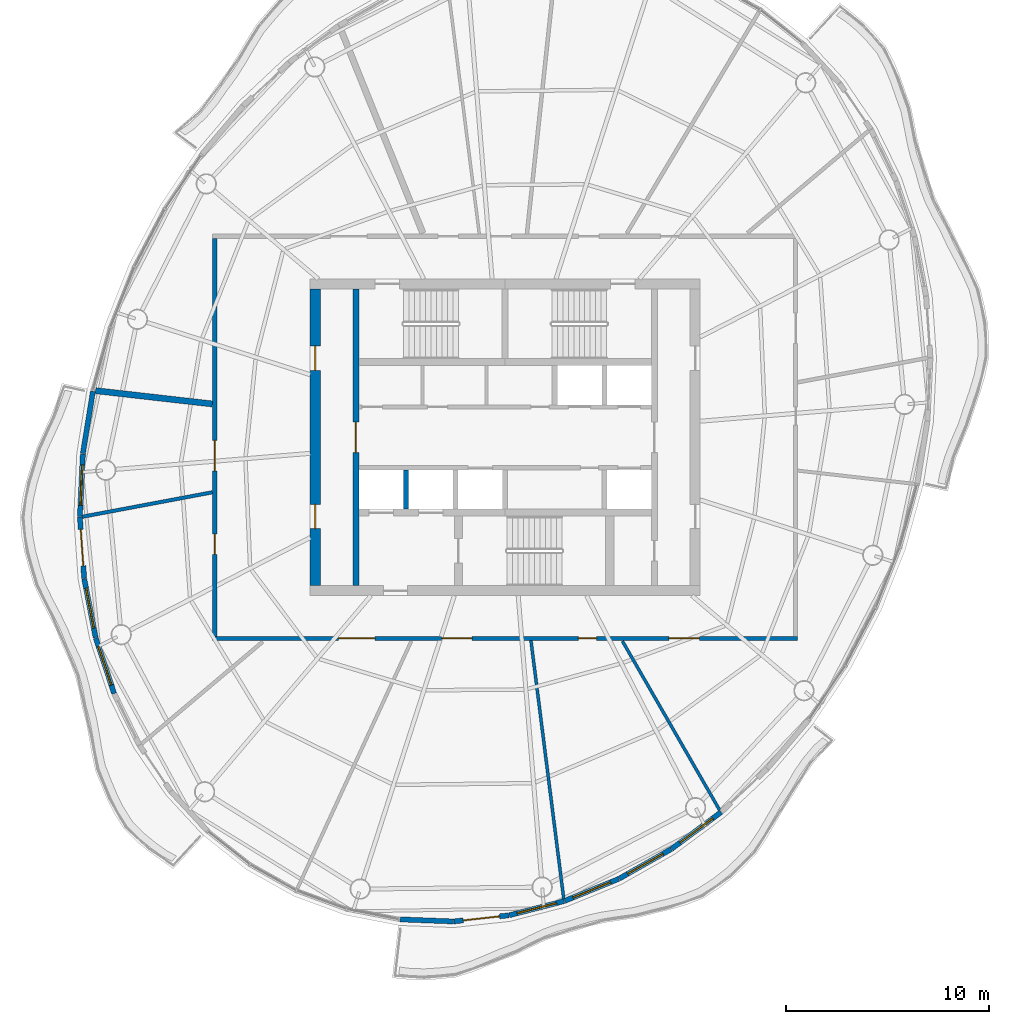
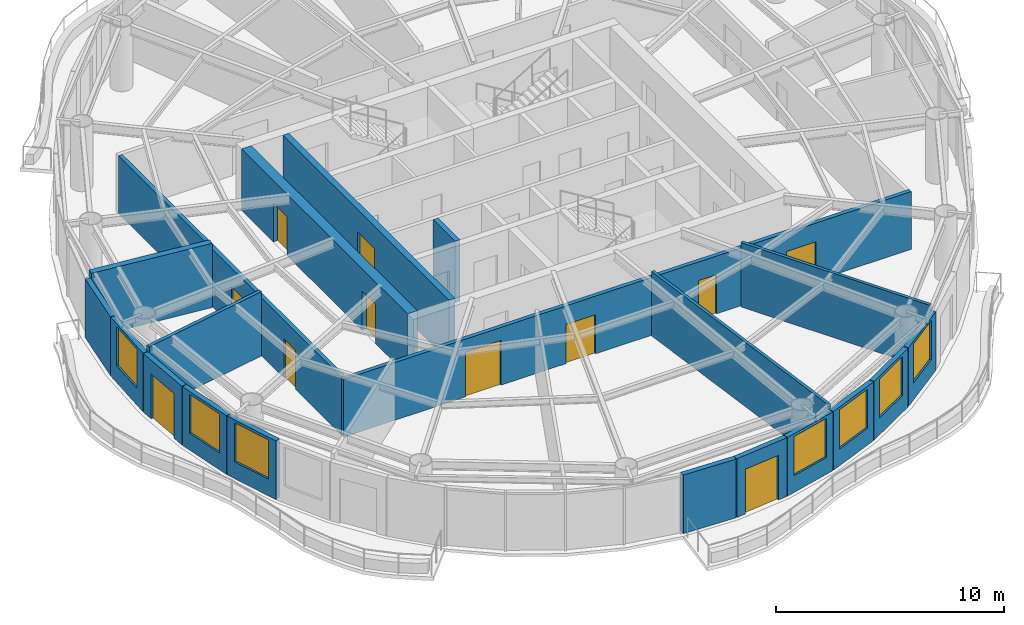
# One storey, part 7 of 13: 20 walls, 11 doors, 7 windows, 18 openings.
"""IFC4 building model written with IfcOpenShell, lengths in metres."""

import ifcopenshell
import ifcopenshell.guid

model = None  # the IFC model being written
_history = None  # IfcOwnerHistory: only IFC2X3 demands one
_inside = {}  # id of a spatial element -> (the spatial element, [elements in it])
_under = {}  # id of a project, library or spatial element -> (it, [spatial elements below it])
_declared = {}  # id of a project -> (the project, [libraries it declares])
_typed = {}  # id of a type object -> (the type object, [elements of that type])
_made_of = {}  # id of a material, layer set ... -> (it, [elements and type objects made of it])


def new_model(schema):
    """Start an empty IFC model of exactly this schema.

    Asked for "IFC4X3", IfcOpenShell would pick the latest addendum, in which some entities
    have other attributes; the version numbers below select the first issue.
    IFC2X3 requires an IfcOwnerHistory on every rooted entity: one is made here for all.
    """
    global model, _history
    if schema == "IFC4X3":
        model = ifcopenshell.file(schema_version=(4, 3, 0, 0))
    else:
        model = ifcopenshell.file(schema=schema)
    _inside.clear()
    _under.clear()
    _declared.clear()
    _typed.clear()
    _made_of.clear()
    _history = None
    if model.schema == "IFC2X3":
        org = make("IfcOrganization", Name="unknown")
        user = make(
            "IfcPersonAndOrganization",
            ThePerson=make("IfcPerson", FamilyName="unknown"),
            TheOrganization=org,
        )
        app = make(
            "IfcApplication",
            ApplicationDeveloper=org,
            Version="unknown",
            ApplicationFullName="unknown",
            ApplicationIdentifier="unknown",
        )
        _history = make(
            "IfcOwnerHistory",
            OwningUser=user,
            OwningApplication=app,
            ChangeAction="ADDED",
            CreationDate=0,
        )
    return model


def make(cls, **values):
    """One entity of the class cls with the attributes given. An attribute that is None is left unset."""
    return model.create_entity(
        cls, **{name: value for name, value in values.items() if value is not None}
    )


def rooted(cls, **values):
    """An entity with a GlobalId (a new one), such as an element, a storey or a relation."""
    return make(cls, GlobalId=ifcopenshell.guid.new(), OwnerHistory=_history, **values)


def si_unit(unit_type, name, prefix=None):
    """IfcSIUnit, for example si_unit("LENGTHUNIT", "METRE", prefix="MILLI")."""
    return make("IfcSIUnit", UnitType=unit_type, Prefix=prefix, Name=name)


def assignment(units):
    """IfcUnitAssignment: the units of a project."""
    return None if units is None else make("IfcUnitAssignment", Units=units)


def point(xyz):
    """IfcCartesianPoint."""
    return None if xyz is None else make("IfcCartesianPoint", Coordinates=xyz)


def direction(xyz):
    """IfcDirection."""
    return None if xyz is None else make("IfcDirection", DirectionRatios=xyz)


def frame(location, z_axis=None, x_axis=None):
    """IfcAxis2Placement3D, a coordinate frame: its origin and axes. An axis left out is left unset."""
    return make(
        "IfcAxis2Placement3D",
        Location=point(location),
        Axis=direction(z_axis),
        RefDirection=direction(x_axis),
    )


def frame_2d(location, x_axis=None):
    """IfcAxis2Placement2D, a coordinate frame in the plane: its origin and x axis."""
    return make(
        "IfcAxis2Placement2D", Location=point(location), RefDirection=direction(x_axis)
    )


def origin():
    """The frame at (0, 0, 0) with its axes left unset."""
    return frame((0.0, 0.0, 0.0))


def place(relative_to, where):
    """IfcLocalPlacement: puts the frame where relative to a parent placement (None: the world)."""
    return make(
        "IfcLocalPlacement", PlacementRelTo=relative_to, RelativePlacement=where
    )


def context(
    kind, dimensions, precision=None, world=None, true_north=None, identifier=None
):
    """IfcGeometricRepresentationContext, for example the 3D "Model" context."""
    return make(
        "IfcGeometricRepresentationContext",
        ContextIdentifier=identifier,
        ContextType=kind,
        CoordinateSpaceDimension=dimensions,
        Precision=precision,
        WorldCoordinateSystem=world,
        TrueNorth=true_north,
    )


def subcontext(parent, identifier, kind, view, scale=None):
    """IfcGeometricRepresentationSubContext, for example "Body" below "Model"."""
    return make(
        "IfcGeometricRepresentationSubContext",
        ContextIdentifier=identifier,
        ContextType=kind,
        ParentContext=parent,
        TargetScale=scale,
        TargetView=view,
    )


def project(units=None, contexts=None):
    """IfcProject with its units and contexts."""
    return rooted(
        "IfcProject",
        Name="project",
        RepresentationContexts=contexts,
        UnitsInContext=assignment(units),
    )


def spatial(cls, under=None, at=None, **own):
    """A site, building, storey or space (cls), placed at a placement, below another one or the project."""
    s = rooted(cls, ObjectPlacement=at, **own)
    if under is not None:
        _under.setdefault(under.id(), (under, []))[1].append(s)
    return s


def profile(cls, at=None, kind="AREA", **sizes):
    """A parametric profile (cls). Its sizes go by their IFC names, for example OverallWidth=200.0."""
    return make(cls, ProfileType=kind, Position=at, **sizes)


def rectangle(**sizes):
    """IfcRectangleProfileDef."""
    return profile("IfcRectangleProfileDef", **sizes)


def extrude(swept, where, along, depth):
    """IfcExtrudedAreaSolid: the profile swept, set in the frame where, extruded along a direction by depth."""
    return make(
        "IfcExtrudedAreaSolid",
        SweptArea=swept,
        Position=where,
        ExtrudedDirection=direction(along),
        Depth=depth,
    )


def shape(context_of_items, identifier, shape_type, items):
    """IfcShapeRepresentation: the items that make up one representation, for example the "Body"."""
    return make(
        "IfcShapeRepresentation",
        ContextOfItems=context_of_items,
        RepresentationIdentifier=identifier,
        RepresentationType=shape_type,
        Items=items,
    )


def material(Name=None, Category=None):
    """IfcMaterial."""
    return make("IfcMaterial", Name=Name, Category=Category)


def layer(
    of_material, thickness, ventilated=None, Name=None, Category=None, Priority=None
):
    """IfcMaterialLayer: one layer of a wall or slab, of a material (None: an air gap)."""
    return make(
        "IfcMaterialLayer",
        Material=of_material,
        LayerThickness=thickness,
        IsVentilated=ventilated,
        Name=Name,
        Category=Category,
        Priority=Priority,
    )


def layer_set(layers, Name=None):
    """IfcMaterialLayerSet."""
    return make("IfcMaterialLayerSet", MaterialLayers=layers, LayerSetName=Name)


def made_of(thing, what):
    """Note that an element or type object is made of a material, layer set ...; save() writes the relation."""
    if what is not None:
        _made_of.setdefault(what.id(), (what, []))[1].append(thing)
    return thing


def type_object(cls, material=None, **own):
    """A type object (cls), such as IfcWallType, which elements share."""
    return made_of(rooted(cls, **own), material)


def element(
    cls,
    number,
    at=None,
    inside=None,
    cuts=None,
    type_object=None,
    material=None,
    context=None,
    identifier="Body",
    shape_type=None,
    held_by="IfcProductDefinitionShape",
    body=None,
    shapes=None,
    **own,
):
    """One element of the class cls, such as IfcWall. Its Tag is "e" and its number.

    at: its placement. inside: the storey or other place that contains it. cuts: it is an
    opening in that element (IfcRelVoidsElement). A single representation is given by context,
    identifier, shape_type and body (its items); several are given by shapes. held_by: the class
    of the entity that holds the representations. save() writes the other relations.
    """
    e = rooted(cls, Tag="e%d" % number, ObjectPlacement=at, **own)
    if body is not None:
        shapes = [shape(context, identifier, shape_type, body)]
    if shapes is not None:
        e.Representation = make(held_by, Representations=shapes)
    if inside is not None:
        _inside.setdefault(inside.id(), (inside, []))[1].append(e)
    if cuts is not None:
        rooted(
            "IfcRelVoidsElement", RelatingBuildingElement=cuts, RelatedOpeningElement=e
        )
    if type_object is not None:
        _typed.setdefault(type_object.id(), (type_object, []))[1].append(e)
    return made_of(e, material)


def fill(opening, filler):
    """IfcRelFillsElement: the door or window that sits in an opening."""
    return rooted(
        "IfcRelFillsElement",
        RelatingOpeningElement=opening,
        RelatedBuildingElement=filler,
    )


def aggregate(whole, parts):
    """IfcRelAggregates: a whole, such as a stair, and the parts it consists of."""
    return rooted("IfcRelAggregates", RelatingObject=whole, RelatedObjects=parts)


def save(model, path):
    """Write the relations noted so far, then the file.

    IfcRelAggregates (storeys below a building ...), IfcRelContainedInSpatialStructure (elements
    in a storey), IfcRelDefinesByType, IfcRelAssociatesMaterial and IfcRelDeclares: one each for
    every whole, place, type object, material and project.
    """
    for whole, parts in _under.values():
        aggregate(whole, parts)
    for where, things in _inside.values():
        rooted(
            "IfcRelContainedInSpatialStructure",
            RelatedElements=things,
            RelatingStructure=where,
        )
    for kind, things in _typed.values():
        rooted("IfcRelDefinesByType", RelatedObjects=things, RelatingType=kind)
    for what, things in _made_of.values():
        rooted("IfcRelAssociatesMaterial", RelatedObjects=things, RelatingMaterial=what)
    for by, libraries in _declared.values():
        rooted("IfcRelDeclares", RelatingContext=by, RelatedDefinitions=libraries)
    model.write(path)


model = new_model("IFC4")

# Units and contexts
model_context = context("Model", 3, precision=1e-05, world=origin(), true_north=direction((0.0, 1.0)))
body_context = subcontext(model_context, "Body", "Model", "MODEL_VIEW")
ifc_project = project(units=[si_unit("LENGTHUNIT", "METRE"), si_unit("AREAUNIT", "SQUARE_METRE"), si_unit("VOLUMEUNIT", "CUBIC_METRE"), si_unit("PLANEANGLEUNIT", "RADIAN"), si_unit("MASSUNIT", "GRAM", prefix="KILO")], contexts=[model_context])

# Site, building, storey
site_placement = place(None, origin())
site = spatial("IfcSite", under=ifc_project, at=site_placement, CompositionType="ELEMENT")
building_placement = place(site_placement, origin())
building = spatial("IfcBuilding", under=site, at=building_placement, Name="Vermilion Reach Broadcast Tower", CompositionType="ELEMENT")
storey_placement = place(building_placement, frame((0.0, 0.0, 293.699951171875)))
storey = spatial("IfcBuildingStorey", under=building, at=storey_placement, Name="L73", CompositionType="ELEMENT", Elevation=293.699951171875)

# Wall, opening, door
ifc_material_1 = material(Name="Concrete C50", Category="concrete")
ifc_layer_1 = layer(ifc_material_1, 0.300048828125)
ifc_layer_set_1 = layer_set([ifc_layer_1], Name="Core inner wall 300 mm Concrete C50")
wall_type_1 = type_object("IfcWallType", Name="Core inner wall 300 mm Concrete C50", PredefinedType="SHEAR", material=ifc_layer_set_1)
wall_1_placement = place(storey_placement, frame((-13.35009765625, 7.300048828125, 0.0), z_axis=(0.0, 0.0, 1.0), x_axis=(0.0, -1.0, 0.0)))
wall_1 = element("IfcWall", 1, at=wall_1_placement, inside=storey, type_object=wall_type_1, Name="L73 core wall ewW", PredefinedType="SHEAR", context=body_context, shape_type="SweptSolid", body=[
    extrude(rectangle(XDim=14.60009765625, YDim=0.300048828125, at=frame_2d((7.300048828125, 0.0))), origin(), (0.0, 0.0, 1.0), 3.300048828125),
])
opening_1_placement = place(wall_1_placement, frame((6.550048828125, 0.0, 0.0)))
opening_1 = element("IfcOpeningElement", 2, at=opening_1_placement, cuts=wall_1, Name="Opening D04", PredefinedType="OPENING", context=body_context, shape_type="SweptSolid", body=[
    extrude(rectangle(XDim=1.5, YDim=2.10009765625, at=frame_2d((0.75, 1.050048828125))), frame((0.0, 0.159912109375, 0.0), z_axis=(0.0, -1.0, 0.0), x_axis=(1.0, 0.0, 0.0)), (0.0, 0.0, 1.0), 0.320068359375),
])
ifc_material_2 = material(Name="Painted steel fire door", Category="steel")
door_type_1 = type_object("IfcDoorType", Name="Lift lobby door 1500 x 2100", OperationType="DOUBLE_DOOR_SINGLE_SWING", PredefinedType="NOTDEFINED", material=ifc_material_2)
door_1_placement = place(opening_1_placement, origin())
door_1 = element("IfcDoor", 3, at=door_1_placement, inside=storey, type_object=door_type_1, Name="L73 band door BW", OperationType="DOUBLE_DOOR_SINGLE_SWING", OverallHeight=2.10009765625, OverallWidth=1.5, PredefinedType="NOTDEFINED", context=body_context, shape_type="SweptSolid", body=[
    extrude(rectangle(XDim=1.5, YDim=2.10009765625, at=frame_2d((0.75, 1.050048828125))), frame((0.0, 0.02490234375, 0.0), z_axis=(0.0, -1.0, 0.0), x_axis=(1.0, 0.0, 0.0)), (0.0, 0.0, 1.0), 0.050048828125),
])
fill(opening_1, door_1)

# Wall, openings, doors
ifc_material_3 = material(Name="Concrete C50", Category="concrete")
ifc_layer_2 = layer(ifc_material_3, 0.5)
ifc_layer_set_2 = layer_set([ifc_layer_2], Name="Core outer wall 500 mm Concrete C50")
wall_type_2 = type_object("IfcWallType", Name="Core outer wall 500 mm Concrete C50", PredefinedType="SHEAR", material=ifc_layer_set_2)
wall_2_placement = place(storey_placement, frame((-15.35009765625, 7.300048828125, 0.0), z_axis=(0.0, 0.0, 1.0), x_axis=(0.0, -1.0, 0.0)))
wall_2 = element("IfcWall", 4, at=wall_2_placement, inside=storey, type_object=wall_type_2, Name="L73 core wall ow", PredefinedType="SHEAR", context=body_context, shape_type="SweptSolid", body=[
    extrude(rectangle(XDim=14.60009765625, YDim=0.5, at=frame_2d((7.300048828125, 0.0))), origin(), (0.0, 0.0, 1.0), 3.300048828125),
])
opening_2_placement = place(wall_2_placement, frame((10.60009765625, 0.0, 0.0)))
opening_2 = element("IfcOpeningElement", 5, at=opening_2_placement, cuts=wall_2, Name="Opening D03", PredefinedType="OPENING", context=body_context, shape_type="SweptSolid", body=[
    extrude(rectangle(XDim=1.199951171875, YDim=2.10009765625, at=frame_2d((0.60009765625, 1.050048828125))), frame((0.0, 0.260009765625, 0.0), z_axis=(0.0, -1.0, 0.0), x_axis=(1.0, 0.0, 0.0)), (0.0, 0.0, 1.0), 0.52001953125),
])
opening_3_placement = place(wall_2_placement, frame((2.800048828125, 0.0, 0.0)))
opening_3 = element("IfcOpeningElement", 6, at=opening_3_placement, cuts=wall_2, Name="Opening D03", PredefinedType="OPENING", context=body_context, shape_type="SweptSolid", body=[
    extrude(rectangle(XDim=1.199951171875, YDim=2.10009765625, at=frame_2d((0.60009765625, 1.050048828125))), frame((0.0, 0.260009765625, 0.0), z_axis=(0.0, -1.0, 0.0), x_axis=(1.0, 0.0, 0.0)), (0.0, 0.0, 1.0), 0.52001953125),
])
ifc_material_4 = material(Name="Painted steel fire door", Category="steel")
door_type_2 = type_object("IfcDoorType", Name="Core lobby door 1200 x 2100", OperationType="DOUBLE_DOOR_SINGLE_SWING", PredefinedType="NOTDEFINED", material=ifc_material_4)
door_2_placement = place(opening_2_placement, origin())
door_2 = element("IfcDoor", 7, at=door_2_placement, inside=storey, type_object=door_type_2, Name="L73 slot door W0", OperationType="DOUBLE_DOOR_SINGLE_SWING", OverallHeight=2.10009765625, OverallWidth=1.199951171875, PredefinedType="NOTDEFINED", context=body_context, shape_type="SweptSolid", body=[
    extrude(rectangle(XDim=1.199951171875, YDim=2.10009765625, at=frame_2d((0.60009765625, 1.050048828125))), frame((0.0, 0.02490234375, 0.0), z_axis=(0.0, -1.0, 0.0), x_axis=(1.0, 0.0, 0.0)), (0.0, 0.0, 1.0), 0.050048828125),
])
fill(opening_2, door_2)
door_3_placement = place(opening_3_placement, origin())
door_3 = element("IfcDoor", 8, at=door_3_placement, inside=storey, type_object=door_type_2, Name="L73 slot door W1", OperationType="DOUBLE_DOOR_SINGLE_SWING", OverallHeight=2.10009765625, OverallWidth=1.199951171875, PredefinedType="NOTDEFINED", context=body_context, shape_type="SweptSolid", body=[
    extrude(rectangle(XDim=1.199951171875, YDim=2.10009765625, at=frame_2d((0.60009765625, 1.050048828125))), frame((0.0, 0.02490234375, 0.0), z_axis=(0.0, -1.0, 0.0), x_axis=(1.0, 0.0, 0.0)), (0.0, 0.0, 1.0), 0.050048828125),
])
fill(opening_3, door_3)

# Walls
ifc_material_5 = material(Name="Concrete C50", Category="concrete")
ifc_layer_3 = layer(ifc_material_5, 0.25)
ifc_layer_set_3 = layer_set([ifc_layer_3], Name="Core shaft wall 250 mm Concrete C50")
wall_type_3 = type_object("IfcWallType", Name="Core shaft wall 250 mm Concrete C50", PredefinedType="SHEAR", material=ifc_layer_set_3)
wall_3_placement = place(storey_placement, frame((-10.88330078125, -1.60009765625, 0.0), z_axis=(0.0, 0.0, 1.0), x_axis=(0.0, -1.0, 0.0)))
element("IfcWall", 9, at=wall_3_placement, inside=storey, type_object=wall_type_3, Name="L73 core wall psS0", PredefinedType="SHEAR", context=body_context, shape_type="SweptSolid", body=[
    extrude(rectangle(XDim=1.929931640625, YDim=0.25, at=frame_2d((0.96484375, 0.0))), origin(), (0.0, 0.0, 1.0), 3.300048828125),
])
ifc_material_6 = material(Name="Lightweight concrete block, plastered", Category="concrete")
ifc_layer_4 = layer(ifc_material_6, 0.14990234375)
ifc_layer_set_4 = layer_set([ifc_layer_4], Name="Partition 150 lightweight block")
wall_type_4 = type_object("IfcWallType", Name="Partition 150 lightweight block", PredefinedType="PARTITIONING", material=ifc_layer_set_4)
wall_4_placement = place(storey_placement, frame((-3.11474609375, -22.716064453125, 0.0), z_axis=(0.0, 0.0, 1.0), x_axis=(-0.125990997463, 0.992031384866, 0.0)))
element("IfcWall", 10, at=wall_4_placement, inside=storey, type_object=wall_type_4, Name="Partition 73.08", PredefinedType="PARTITIONING", context=body_context, shape_type="SweptSolid", body=[
    extrude(rectangle(XDim=12.80859375, YDim=0.14990234375, at=frame_2d((6.404296875, 0.0))), origin(), (0.0, 0.0, 1.0), 3.449951171875),
])
wall_5_placement = place(storey_placement, frame((4.562744140625, -18.357177734375, 0.0), z_axis=(0.0, 0.0, 1.0), x_axis=(-0.498722463037, 0.86676173477, 0.0)))
element("IfcWall", 11, at=wall_5_placement, inside=storey, type_object=wall_type_4, Name="Partition 73.09", PredefinedType="PARTITIONING", context=body_context, shape_type="SweptSolid", body=[
    extrude(rectangle(XDim=9.5986328125, YDim=0.14990234375, at=frame_2d((4.79931640625, 0.0))), origin(), (0.0, 0.0, 1.0), 3.449951171875),
])
ifc_material_7 = material(Name="Fire-rated block, plastered")
ifc_layer_5 = layer(ifc_material_7, 0.175048828125)
ifc_layer_set_5 = layer_set([ifc_layer_5], Name="Partition 175 fire-rated block")
wall_type_5 = type_object("IfcWallType", Name="Partition 175 fire-rated block", PredefinedType="PARTITIONING", material=ifc_layer_set_5)
wall_6_placement = place(storey_placement, frame((-26.81494140625, -3.911865234375, 0.0), z_axis=(0.0, 0.0, 1.0), x_axis=(0.982791861664, 0.184716422243, 0.0)))
element("IfcWall", 12, at=wall_6_placement, inside=storey, type_object=wall_type_5, Name="Partition 73.05", PredefinedType="PARTITIONING", context=body_context, shape_type="SweptSolid", body=[
    extrude(rectangle(XDim=6.5107421875, YDim=0.175048828125, at=frame_2d((3.25537109375, 0.0))), origin(), (0.0, 0.0, 1.0), 3.449951171875),
])
ifc_material_8 = material(Name="Double-leaf plasterboard on isolated steel stud", Category="steel")
ifc_layer_6 = layer(ifc_material_8, 0.300048828125)
ifc_layer_set_6 = layer_set([ifc_layer_6], Name="Partition 300 acoustic double leaf")
wall_type_6 = type_object("IfcWallType", Name="Partition 300 acoustic double leaf", PredefinedType="PARTITIONING", material=ifc_layer_set_6)
wall_7_placement = place(storey_placement, frame((-26.16552734375, 2.295166015625, 0.0), z_axis=(0.0, 0.0, 1.0), x_axis=(0.993584796014, -0.113089580112, 0.0)))
element("IfcWall", 13, at=wall_7_placement, inside=storey, type_object=wall_type_6, Name="Partition 73.04", PredefinedType="PARTITIONING", context=body_context, shape_type="SweptSolid", body=[
    extrude(rectangle(XDim=5.78564453125, YDim=0.300048828125, at=frame_2d((2.892822265625, 0.0))), origin(), (0.0, 0.0, 1.0), 3.449951171875),
])
ifc_material_9 = material(Name="Terracotta rainscreen cladding", Category="masonry")
ifc_layer_7 = layer(ifc_material_9, 0.25)
ifc_layer_set_7 = layer_set([ifc_layer_7], Name="Terracotta rainscreen wall 250")
wall_type_7 = type_object("IfcWallType", Name="Terracotta rainscreen wall 250", PredefinedType="SOLIDWALL", material=ifc_layer_set_7)
wall_8_placement = place(storey_placement, frame((-26.29638671875, 2.267578125, 0.0), z_axis=(0.0, 0.0, 1.0), x_axis=(-0.159440477827, -0.987207543544, 0.0)))
element("IfcWall", 14, at=wall_8_placement, inside=storey, type_object=wall_type_7, Name="External wall L73 14", PredefinedType="SOLIDWALL", context=body_context, shape_type="SweptSolid", body=[
    extrude(rectangle(XDim=3.09912109375, YDim=0.25, at=frame_2d((1.549560546875, 0.0))), origin(), (0.0, 0.0, 1.0), 3.150146484375),
])

# Wall, opening, window
wall_9_placement = place(storey_placement, frame((-26.79296875, -0.81396484375, 0.0), z_axis=(0.0, 0.0, 1.0), x_axis=(-0.047385042598, -0.998876697965, 0.0)))
wall_9 = element("IfcWall", 15, at=wall_9_placement, inside=storey, type_object=wall_type_7, Name="External wall L73 15", PredefinedType="SOLIDWALL", context=body_context, shape_type="SweptSolid", body=[
    extrude(rectangle(XDim=3.09130859375, YDim=0.25, at=frame_2d((1.545654296875, 0.0))), origin(), (0.0, 0.0, 1.0), 3.150146484375),
])
opening_4_placement = place(wall_9_placement, frame((0.545654296875, 0.0, 0.89990234375)))
opening_4 = element("IfcOpeningElement", 16, at=opening_4_placement, cuts=wall_9, Name="Opening W03", PredefinedType="OPENING", context=body_context, shape_type="SweptSolid", body=[
    extrude(rectangle(XDim=2.0, YDim=2.10009765625, at=frame_2d((1.0, 1.050048828125))), frame((0.0, 0.135009765625, 0.0), z_axis=(0.0, -1.0, 0.0), x_axis=(1.0, 0.0, 0.0)), (0.0, 0.0, 1.0), 0.27001953125),
])
ifc_material_10 = material(Name="Low-e laminated clear glass in aluminium frame", Category="aluminium")
window_type = type_object("IfcWindowType", Name="Punched window 2000 x 2100 sill 900", PartitioningType="SINGLE_PANEL", PredefinedType="WINDOW", material=ifc_material_10)
window_1_placement = place(opening_4_placement, origin())
window_1 = element("IfcWindow", 17, at=window_1_placement, inside=storey, type_object=window_type, Name="Window L73 15", OverallHeight=2.10009765625, OverallWidth=2.0, PartitioningType="SINGLE_PANEL", PredefinedType="WINDOW", context=body_context, shape_type="SweptSolid", body=[
    extrude(rectangle(XDim=2.0, YDim=2.10009765625, at=frame_2d((1.0, 1.050048828125))), frame((0.0, 0.030029296875, 0.0), z_axis=(0.0, -1.0, 0.0), x_axis=(1.0, 0.0, 0.0)), (0.0, 0.0, 1.0), 0.06005859375),
])
fill(opening_4, window_1)

# Wall, opening, door
wall_10_placement = place(storey_placement, frame((-26.939208984375, -3.924560546875, 0.0), z_axis=(0.0, 0.0, 1.0), x_axis=(0.069463827697, -0.997584470931, 0.0)))
wall_10 = element("IfcWall", 18, at=wall_10_placement, inside=storey, type_object=wall_type_7, Name="External wall L73 16", PredefinedType="SOLIDWALL", context=body_context, shape_type="SweptSolid", body=[
    extrude(rectangle(XDim=3.026123046875, YDim=0.25, at=frame_2d((1.51318359375, 0.0))), origin(), (0.0, 0.0, 1.0), 3.150146484375),
])
opening_5_placement = place(wall_10_placement, frame((0.613037109375, 0.0, 0.0)))
opening_5 = element("IfcOpeningElement", 19, at=opening_5_placement, cuts=wall_10, Name="Opening D70", PredefinedType="OPENING", context=body_context, shape_type="SweptSolid", body=[
    extrude(rectangle(XDim=1.800048828125, YDim=2.39990234375, at=frame_2d((0.89990234375, 1.199951171875))), frame((0.0, 0.135009765625, 0.0), z_axis=(0.0, -1.0, 0.0), x_axis=(1.0, 0.0, 0.0)), (0.0, 0.0, 1.0), 0.27001953125),
])
ifc_material_11 = material(Name="Low-e laminated clear glass in aluminium frame", Category="aluminium")
door_type_3 = type_object("IfcDoorType", Name="Balcony sliding door 1800 x 2400", OperationType="DOUBLE_DOOR_SLIDING", PredefinedType="DOOR", material=ifc_material_11)
door_4_placement = place(opening_5_placement, origin())
door_4 = element("IfcDoor", 20, at=door_4_placement, inside=storey, type_object=door_type_3, Name="Balcony door L73 run 04", OperationType="DOUBLE_DOOR_SLIDING", OverallHeight=2.39990234375, OverallWidth=1.800048828125, PredefinedType="DOOR", context=body_context, shape_type="SweptSolid", body=[
    extrude(rectangle(XDim=1.800048828125, YDim=2.39990234375, at=frame_2d((0.89990234375, 1.199951171875))), frame((0.0, 0.02490234375, 0.0), z_axis=(0.0, -1.0, 0.0), x_axis=(1.0, 0.0, 0.0)), (0.0, 0.0, 1.0), 0.050048828125),
])
fill(opening_5, door_4)

# Wall, opening, window
wall_11_placement = place(storey_placement, frame((-26.725830078125, -6.96630859375, 0.0), z_axis=(0.0, 0.0, 1.0), x_axis=(0.190466761953, -0.981693644978, 0.0)))
wall_11 = element("IfcWall", 21, at=wall_11_placement, inside=storey, type_object=wall_type_7, Name="External wall L73 17", PredefinedType="SOLIDWALL", context=body_context, shape_type="SweptSolid", body=[
    extrude(rectangle(XDim=2.951904296875, YDim=0.25, at=frame_2d((1.47607421875, 0.0))), origin(), (0.0, 0.0, 1.0), 3.150146484375),
])
opening_6_placement = place(wall_11_placement, frame((0.475830078125, 0.0, 0.89990234375)))
opening_6 = element("IfcOpeningElement", 22, at=opening_6_placement, cuts=wall_11, Name="Opening W03", PredefinedType="OPENING", context=body_context, shape_type="SweptSolid", body=[
    extrude(rectangle(XDim=2.0, YDim=2.10009765625, at=frame_2d((1.0, 1.050048828125))), frame((0.0, 0.135009765625, 0.0), z_axis=(0.0, -1.0, 0.0), x_axis=(1.0, 0.0, 0.0)), (0.0, 0.0, 1.0), 0.27001953125),
])
window_2_placement = place(opening_6_placement, origin())
window_2 = element("IfcWindow", 23, at=window_2_placement, inside=storey, type_object=window_type, Name="Window L73 17", OverallHeight=2.10009765625, OverallWidth=2.0, PartitioningType="SINGLE_PANEL", PredefinedType="WINDOW", context=body_context, shape_type="SweptSolid", body=[
    extrude(rectangle(XDim=2.0, YDim=2.10009765625, at=frame_2d((1.0, 1.050048828125))), frame((0.0, 0.030029296875, 0.0), z_axis=(0.0, -1.0, 0.0), x_axis=(1.0, 0.0, 0.0)), (0.0, 0.0, 1.0), 0.06005859375),
])
fill(opening_6, window_2)

wall_12_placement = place(storey_placement, frame((-26.157470703125, -9.887451171875, 0.0), z_axis=(0.0, 0.0, 1.0), x_axis=(0.314544485277, -0.949242733331, 0.0)))
wall_12 = element("IfcWall", 24, at=wall_12_placement, inside=storey, type_object=wall_type_7, Name="External wall L73 18", PredefinedType="SOLIDWALL", context=body_context, shape_type="SweptSolid", body=[
    extrude(rectangle(XDim=2.87255859375, YDim=0.25, at=frame_2d((1.436279296875, 0.0))), origin(), (0.0, 0.0, 1.0), 3.150146484375),
])
opening_7_placement = place(wall_12_placement, frame((0.436279296875, 0.0, 0.89990234375)))
opening_7 = element("IfcOpeningElement", 25, at=opening_7_placement, cuts=wall_12, Name="Opening W03", PredefinedType="OPENING", context=body_context, shape_type="SweptSolid", body=[
    extrude(rectangle(XDim=2.0, YDim=2.10009765625, at=frame_2d((1.0, 1.050048828125))), frame((0.0, 0.135009765625, 0.0), z_axis=(0.0, -1.0, 0.0), x_axis=(1.0, 0.0, 0.0)), (0.0, 0.0, 1.0), 0.27001953125),
])
window_3_placement = place(opening_7_placement, origin())
window_3 = element("IfcWindow", 26, at=window_3_placement, inside=storey, type_object=window_type, Name="Window L73 18", OverallHeight=2.10009765625, OverallWidth=2.0, PartitioningType="SINGLE_PANEL", PredefinedType="WINDOW", context=body_context, shape_type="SweptSolid", body=[
    extrude(rectangle(XDim=2.0, YDim=2.10009765625, at=frame_2d((1.0, 1.050048828125))), frame((0.0, 0.030029296875, 0.0), z_axis=(0.0, -1.0, 0.0), x_axis=(1.0, 0.0, 0.0)), (0.0, 0.0, 1.0), 0.06005859375),
])
fill(opening_7, window_3)

# Wall
wall_13_placement = place(storey_placement, frame((-11.1669921875, -23.739990234375, 0.0), z_axis=(0.0, 0.0, 1.0), x_axis=(0.999251644624, -0.038680107501, 0.0)))
element("IfcWall", 27, at=wall_13_placement, inside=storey, type_object=wall_type_7, Name="External wall L73 26", PredefinedType="SOLIDWALL", context=body_context, shape_type="SweptSolid", body=[
    extrude(rectangle(XDim=2.619384765625, YDim=0.25, at=frame_2d((1.3095703125, 0.0))), origin(), (0.0, 0.0, 1.0), 3.150146484375),
])

# Wall, opening, door
wall_14_placement = place(storey_placement, frame((-8.52294921875, -23.84033203125, 0.0), z_axis=(0.0, 0.0, 1.0), x_axis=(0.993924144264, 0.110067231499, 0.0)))
wall_14 = element("IfcWall", 28, at=wall_14_placement, inside=storey, type_object=wall_type_7, Name="External wall L73 27", PredefinedType="SOLIDWALL", context=body_context, shape_type="SweptSolid", body=[
    extrude(rectangle(XDim=2.7216796875, YDim=0.25, at=frame_2d((1.36083984375, 0.0))), origin(), (0.0, 0.0, 1.0), 3.150146484375),
])
opening_8_placement = place(wall_14_placement, frame((0.4609375, 0.0, 0.0)))
opening_8 = element("IfcOpeningElement", 29, at=opening_8_placement, cuts=wall_14, Name="Opening D70", PredefinedType="OPENING", context=body_context, shape_type="SweptSolid", body=[
    extrude(rectangle(XDim=1.800048828125, YDim=2.39990234375, at=frame_2d((0.89990234375, 1.199951171875))), frame((0.0, 0.135009765625, 0.0), z_axis=(0.0, -1.0, 0.0), x_axis=(1.0, 0.0, 0.0)), (0.0, 0.0, 1.0), 0.27001953125),
])
door_5_placement = place(opening_8_placement, origin())
door_5 = element("IfcDoor", 30, at=door_5_placement, inside=storey, type_object=door_type_3, Name="Balcony door L73 run 07", OperationType="DOUBLE_DOOR_SLIDING", OverallHeight=2.39990234375, OverallWidth=1.800048828125, PredefinedType="DOOR", context=body_context, shape_type="SweptSolid", body=[
    extrude(rectangle(XDim=1.800048828125, YDim=2.39990234375, at=frame_2d((0.89990234375, 1.199951171875))), frame((0.0, 0.02490234375, 0.0), z_axis=(0.0, -1.0, 0.0), x_axis=(1.0, 0.0, 0.0)), (0.0, 0.0, 1.0), 0.050048828125),
])
fill(opening_8, door_5)

# Wall, opening, window
wall_15_placement = place(storey_placement, frame((-5.792724609375, -23.5361328125, 0.0), z_axis=(0.0, 0.0, 1.0), x_axis=(0.968247991757, 0.249991652777, 0.0)))
wall_15 = element("IfcWall", 31, at=wall_15_placement, inside=storey, type_object=wall_type_7, Name="External wall L73 28", PredefinedType="SOLIDWALL", context=body_context, shape_type="SweptSolid", body=[
    extrude(rectangle(XDim=2.7939453125, YDim=0.25, at=frame_2d((1.39697265625, 0.0))), origin(), (0.0, 0.0, 1.0), 3.150146484375),
])
opening_9_placement = place(wall_15_placement, frame((0.39697265625, 0.0, 0.89990234375)))
opening_9 = element("IfcOpeningElement", 32, at=opening_9_placement, cuts=wall_15, Name="Opening W03", PredefinedType="OPENING", context=body_context, shape_type="SweptSolid", body=[
    extrude(rectangle(XDim=2.0, YDim=2.10009765625, at=frame_2d((1.0, 1.050048828125))), frame((0.0, 0.135009765625, 0.0), z_axis=(0.0, -1.0, 0.0), x_axis=(1.0, 0.0, 0.0)), (0.0, 0.0, 1.0), 0.27001953125),
])
window_4_placement = place(opening_9_placement, origin())
window_4 = element("IfcWindow", 33, at=window_4_placement, inside=storey, type_object=window_type, Name="Window L73 28", OverallHeight=2.10009765625, OverallWidth=2.0, PartitioningType="SINGLE_PANEL", PredefinedType="WINDOW", context=body_context, shape_type="SweptSolid", body=[
    extrude(rectangle(XDim=2.0, YDim=2.10009765625, at=frame_2d((1.0, 1.050048828125))), frame((0.0, 0.030029296875, 0.0), z_axis=(0.0, -1.0, 0.0), x_axis=(1.0, 0.0, 0.0)), (0.0, 0.0, 1.0), 0.06005859375),
])
fill(opening_9, window_4)

wall_16_placement = place(storey_placement, frame((-3.063720703125, -22.829833984375, 0.0), z_axis=(0.0, 0.0, 1.0), x_axis=(0.925732306154, 0.378179451243, 0.0)))
wall_16 = element("IfcWall", 34, at=wall_16_placement, inside=storey, type_object=wall_type_7, Name="External wall L73 29", PredefinedType="SOLIDWALL", context=body_context, shape_type="SweptSolid", body=[
    extrude(rectangle(XDim=2.872802734375, YDim=0.25, at=frame_2d((1.4365234375, 0.0))), origin(), (0.0, 0.0, 1.0), 3.150146484375),
])
opening_10_placement = place(wall_16_placement, frame((0.436279296875, 0.0, 0.89990234375)))
opening_10 = element("IfcOpeningElement", 35, at=opening_10_placement, cuts=wall_16, Name="Opening W03", PredefinedType="OPENING", context=body_context, shape_type="SweptSolid", body=[
    extrude(rectangle(XDim=2.0, YDim=2.10009765625, at=frame_2d((1.0, 1.050048828125))), frame((0.0, 0.135009765625, 0.0), z_axis=(0.0, -1.0, 0.0), x_axis=(1.0, 0.0, 0.0)), (0.0, 0.0, 1.0), 0.27001953125),
])
window_5_placement = place(opening_10_placement, origin())
window_5 = element("IfcWindow", 36, at=window_5_placement, inside=storey, type_object=window_type, Name="Window L73 29", OverallHeight=2.10009765625, OverallWidth=2.0, PartitioningType="SINGLE_PANEL", PredefinedType="WINDOW", context=body_context, shape_type="SweptSolid", body=[
    extrude(rectangle(XDim=2.0, YDim=2.10009765625, at=frame_2d((1.0, 1.050048828125))), frame((0.0, 0.030029296875, 0.0), z_axis=(0.0, -1.0, 0.0), x_axis=(1.0, 0.0, 0.0)), (0.0, 0.0, 1.0), 0.06005859375),
])
fill(opening_10, window_5)

wall_17_placement = place(storey_placement, frame((-0.3828125, -21.73291015625, 0.0), z_axis=(0.0, 0.0, 1.0), x_axis=(0.869684955628, 0.493607210194, 0.0)))
wall_17 = element("IfcWall", 37, at=wall_17_placement, inside=storey, type_object=wall_type_7, Name="External wall L73 30", PredefinedType="SOLIDWALL", context=body_context, shape_type="SweptSolid", body=[
    extrude(rectangle(XDim=2.951904296875, YDim=0.25, at=frame_2d((1.47607421875, 0.0))), origin(), (0.0, 0.0, 1.0), 3.150146484375),
])
opening_11_placement = place(wall_17_placement, frame((0.475830078125, 0.0, 0.89990234375)))
opening_11 = element("IfcOpeningElement", 38, at=opening_11_placement, cuts=wall_17, Name="Opening W03", PredefinedType="OPENING", context=body_context, shape_type="SweptSolid", body=[
    extrude(rectangle(XDim=2.0, YDim=2.10009765625, at=frame_2d((1.0, 1.050048828125))), frame((0.0, 0.135009765625, 0.0), z_axis=(0.0, -1.0, 0.0), x_axis=(1.0, 0.0, 0.0)), (0.0, 0.0, 1.0), 0.27001953125),
])
window_6_placement = place(opening_11_placement, origin())
window_6 = element("IfcWindow", 39, at=window_6_placement, inside=storey, type_object=window_type, Name="Window L73 30", OverallHeight=2.10009765625, OverallWidth=2.0, PartitioningType="SINGLE_PANEL", PredefinedType="WINDOW", context=body_context, shape_type="SweptSolid", body=[
    extrude(rectangle(XDim=2.0, YDim=2.10009765625, at=frame_2d((1.0, 1.050048828125))), frame((0.0, 0.030029296875, 0.0), z_axis=(0.0, -1.0, 0.0), x_axis=(1.0, 0.0, 0.0)), (0.0, 0.0, 1.0), 0.06005859375),
])
fill(opening_11, window_6)

wall_18_placement = place(storey_placement, frame((2.203857421875, -20.26318359375, 0.0), z_axis=(0.0, 0.0, 1.0), x_axis=(0.803029531198, 0.595939235178, 0.0)))
wall_18 = element("IfcWall", 40, at=wall_18_placement, inside=storey, type_object=wall_type_7, Name="External wall L73 31", PredefinedType="SOLIDWALL", context=body_context, shape_type="SweptSolid", body=[
    extrude(rectangle(XDim=3.0263671875, YDim=0.25, at=frame_2d((1.51318359375, 0.0))), origin(), (0.0, 0.0, 1.0), 3.150146484375),
])
opening_12_placement = place(wall_18_placement, frame((0.51318359375, 0.0, 0.89990234375)))
opening_12 = element("IfcOpeningElement", 41, at=opening_12_placement, cuts=wall_18, Name="Opening W03", PredefinedType="OPENING", context=body_context, shape_type="SweptSolid", body=[
    extrude(rectangle(XDim=2.0, YDim=2.10009765625, at=frame_2d((1.0, 1.050048828125))), frame((0.0, 0.135009765625, 0.0), z_axis=(0.0, -1.0, 0.0), x_axis=(1.0, 0.0, 0.0)), (0.0, 0.0, 1.0), 0.27001953125),
])
window_7_placement = place(opening_12_placement, origin())
window_7 = element("IfcWindow", 42, at=window_7_placement, inside=storey, type_object=window_type, Name="Window L73 31", OverallHeight=2.10009765625, OverallWidth=2.0, PartitioningType="SINGLE_PANEL", PredefinedType="WINDOW", context=body_context, shape_type="SweptSolid", body=[
    extrude(rectangle(XDim=2.0, YDim=2.10009765625, at=frame_2d((1.0, 1.050048828125))), frame((0.0, 0.030029296875, 0.0), z_axis=(0.0, -1.0, 0.0), x_axis=(1.0, 0.0, 0.0)), (0.0, 0.0, 1.0), 0.06005859375),
])
fill(opening_12, window_7)

# Wall, openings, doors
ifc_material_12 = material(Name="Fire-rated gypsum board partition")
ifc_layer_8 = layer(ifc_material_12, 0.199951171875)
ifc_layer_set_8 = layer_set([ifc_layer_8], Name="Under girder: Corridor wall 200 fire-rated")
wall_type_8 = type_object("IfcWallType", Name="Under girder: Corridor wall 200 fire-rated", PredefinedType="PARTITIONING", material=ifc_layer_set_8)
wall_19_placement = place(storey_placement, frame((8.39990234375, -9.89990234375, 0.0), z_axis=(0.0, 0.0, 1.0), x_axis=(-1.0, 0.0, 0.0)))
wall_19 = element("IfcWall", 43, at=wall_19_placement, inside=storey, type_object=wall_type_8, Name="Corridor wall 73.S", PredefinedType="PARTITIONING", context=body_context, shape_type="SweptSolid", body=[
    extrude(rectangle(XDim=28.7998046875, YDim=0.199951171875, at=frame_2d((14.39990234375, 0.0))), origin(), (0.0, 0.0, 1.0), 3.10009765625),
])
opening_13_placement = place(wall_19_placement, frame((20.8154296875, 0.0, 0.0)))
opening_13 = element("IfcOpeningElement", 44, at=opening_13_placement, cuts=wall_19, Name="Opening D27", PredefinedType="OPENING", context=body_context, shape_type="SweptSolid", body=[
    extrude(rectangle(XDim=1.800048828125, YDim=2.39990234375, at=frame_2d((0.89990234375, 1.199951171875))), frame((0.0, 0.10986328125, 0.0), z_axis=(0.0, -1.0, 0.0), x_axis=(1.0, 0.0, 0.0)), (0.0, 0.0, 1.0), 0.219970703125),
])
opening_14_placement = place(wall_19_placement, frame((16.021484375, 0.0, 0.0)))
opening_14 = element("IfcOpeningElement", 45, at=opening_14_placement, cuts=wall_19, Name="Opening D24", PredefinedType="OPENING", context=body_context, shape_type="SweptSolid", body=[
    extrude(rectangle(XDim=1.5, YDim=2.10009765625, at=frame_2d((0.75, 1.050048828125))), frame((0.0, 0.10986328125, 0.0), z_axis=(0.0, -1.0, 0.0), x_axis=(1.0, 0.0, 0.0)), (0.0, 0.0, 1.0), 0.219970703125),
])
opening_15_placement = place(wall_19_placement, frame((9.89111328125, 0.0, 0.0)))
opening_15 = element("IfcOpeningElement", 46, at=opening_15_placement, cuts=wall_19, Name="Opening D22", PredefinedType="OPENING", context=body_context, shape_type="SweptSolid", body=[
    extrude(rectangle(XDim=0.89990234375, YDim=2.10009765625, at=frame_2d((0.449951171875, 1.050048828125))), frame((0.0, 0.10986328125, 0.0), z_axis=(0.0, -1.0, 0.0), x_axis=(1.0, 0.0, 0.0)), (0.0, 0.0, 1.0), 0.219970703125),
])
opening_16_placement = place(wall_19_placement, frame((4.832275390625, 0.0, 0.0)))
opening_16 = element("IfcOpeningElement", 47, at=opening_16_placement, cuts=wall_19, Name="Opening D24", PredefinedType="OPENING", context=body_context, shape_type="SweptSolid", body=[
    extrude(rectangle(XDim=1.5, YDim=2.10009765625, at=frame_2d((0.75, 1.050048828125))), frame((0.0, 0.10986328125, 0.0), z_axis=(0.0, -1.0, 0.0), x_axis=(1.0, 0.0, 0.0)), (0.0, 0.0, 1.0), 0.219970703125),
])
ifc_material_13 = material(Name="Timber door leaf", Category="wood")
door_type_4 = type_object("IfcDoorType", Name="Door pair 1500x2100", OperationType="NOTDEFINED", PredefinedType="DOOR", material=ifc_material_13)
door_6_placement = place(opening_14_placement, origin())
door_6 = element("IfcDoor", 48, at=door_6_placement, inside=storey, type_object=door_type_4, Name="Door 73.07", OperationType="DOUBLE_DOOR_SINGLE_SWING", OverallHeight=2.10009765625, OverallWidth=1.5, PredefinedType="DOOR", context=body_context, shape_type="SweptSolid", body=[
    extrude(rectangle(XDim=1.5, YDim=2.10009765625, at=frame_2d((0.75, 1.050048828125))), frame((0.0, 0.02490234375, 0.0), z_axis=(0.0, -1.0, 0.0), x_axis=(1.0, 0.0, 0.0)), (0.0, 0.0, 1.0), 0.050048828125),
])
fill(opening_14, door_6)
door_7_placement = place(opening_16_placement, origin())
door_7 = element("IfcDoor", 49, at=door_7_placement, inside=storey, type_object=door_type_4, Name="Door 73.09", OperationType="DOUBLE_DOOR_SINGLE_SWING", OverallHeight=2.10009765625, OverallWidth=1.5, PredefinedType="DOOR", context=body_context, shape_type="SweptSolid", body=[
    extrude(rectangle(XDim=1.5, YDim=2.10009765625, at=frame_2d((0.75, 1.050048828125))), frame((0.0, 0.02490234375, 0.0), z_axis=(0.0, -1.0, 0.0), x_axis=(1.0, 0.0, 0.0)), (0.0, 0.0, 1.0), 0.050048828125),
])
fill(opening_16, door_7)
ifc_material_14 = material(Name="Acoustic timber door leaf", Category="wood")
door_type_5 = type_object("IfcDoorType", Name="Door pair 1800x2400", OperationType="NOTDEFINED", PredefinedType="DOOR", material=ifc_material_14)
door_8_placement = place(opening_13_placement, origin())
door_8 = element("IfcDoor", 50, at=door_8_placement, inside=storey, type_object=door_type_5, Name="Door 73.06", OperationType="DOUBLE_DOOR_SINGLE_SWING", OverallHeight=2.39990234375, OverallWidth=1.800048828125, PredefinedType="DOOR", context=body_context, shape_type="SweptSolid", body=[
    extrude(rectangle(XDim=1.800048828125, YDim=2.39990234375, at=frame_2d((0.89990234375, 1.199951171875))), frame((0.0, 0.02490234375, 0.0), z_axis=(0.0, -1.0, 0.0), x_axis=(1.0, 0.0, 0.0)), (0.0, 0.0, 1.0), 0.050048828125),
])
fill(opening_13, door_8)
ifc_material_15 = material(Name="Timber door leaf", Category="wood")
door_type_6 = type_object("IfcDoorType", Name="Door single 900x2100", OperationType="NOTDEFINED", PredefinedType="DOOR", material=ifc_material_15)
door_9_placement = place(opening_15_placement, origin())
door_9 = element("IfcDoor", 51, at=door_9_placement, inside=storey, type_object=door_type_6, Name="Door 73.08", OperationType="SINGLE_SWING_LEFT", OverallHeight=2.10009765625, OverallWidth=0.89990234375, PredefinedType="DOOR", context=body_context, shape_type="SweptSolid", body=[
    extrude(rectangle(XDim=0.89990234375, YDim=2.10009765625, at=frame_2d((0.449951171875, 1.050048828125))), frame((0.0, 0.02490234375, 0.0), z_axis=(0.0, -1.0, 0.0), x_axis=(1.0, 0.0, 0.0)), (0.0, 0.0, 1.0), 0.050048828125),
])
fill(opening_15, door_9)

wall_20_placement = place(storey_placement, frame((-20.300048828125, -9.800048828125, 0.0), z_axis=(0.0, 0.0, 1.0), x_axis=(0.0, 1.0, 0.0)))
wall_20 = element("IfcWall", 52, at=wall_20_placement, inside=storey, type_object=wall_type_8, Name="Corridor wall 73.W", PredefinedType="PARTITIONING", context=body_context, shape_type="SweptSolid", body=[
    extrude(rectangle(XDim=19.60009765625, YDim=0.199951171875, at=frame_2d((9.800048828125, 0.0))), origin(), (0.0, 0.0, 1.0), 3.10009765625),
])
opening_17_placement = place(wall_20_placement, frame((8.147216796875, 0.0, 0.0)))
opening_17 = element("IfcOpeningElement", 53, at=opening_17_placement, cuts=wall_20, Name="Opening D24", PredefinedType="OPENING", context=body_context, shape_type="SweptSolid", body=[
    extrude(rectangle(XDim=1.5, YDim=2.10009765625, at=frame_2d((0.75, 1.050048828125))), frame((0.0, 0.10986328125, 0.0), z_axis=(0.0, -1.0, 0.0), x_axis=(1.0, 0.0, 0.0)), (0.0, 0.0, 1.0), 0.219970703125),
])
opening_18_placement = place(wall_20_placement, frame((4.030517578125, 0.0, 0.0)))
opening_18 = element("IfcOpeningElement", 54, at=opening_18_placement, cuts=wall_20, Name="Opening D20", PredefinedType="OPENING", context=body_context, shape_type="SweptSolid", body=[
    extrude(rectangle(XDim=1.0, YDim=2.10009765625, at=frame_2d((0.5, 1.050048828125))), frame((0.0, 0.10986328125, 0.0), z_axis=(0.0, -1.0, 0.0), x_axis=(1.0, 0.0, 0.0)), (0.0, 0.0, 1.0), 0.219970703125),
])
door_10_placement = place(opening_17_placement, origin())
door_10 = element("IfcDoor", 55, at=door_10_placement, inside=storey, type_object=door_type_4, Name="Door 73.04", OperationType="DOUBLE_DOOR_SINGLE_SWING", OverallHeight=2.10009765625, OverallWidth=1.5, PredefinedType="DOOR", context=body_context, shape_type="SweptSolid", body=[
    extrude(rectangle(XDim=1.5, YDim=2.10009765625, at=frame_2d((0.75, 1.050048828125))), frame((0.0, 0.02490234375, 0.0), z_axis=(0.0, -1.0, 0.0), x_axis=(1.0, 0.0, 0.0)), (0.0, 0.0, 1.0), 0.050048828125),
])
fill(opening_17, door_10)
ifc_material_16 = material(Name="Timber door leaf", Category="wood")
door_type_7 = type_object("IfcDoorType", Name="Door single 1000x2100", OperationType="NOTDEFINED", PredefinedType="DOOR", material=ifc_material_16)
door_11_placement = place(opening_18_placement, origin())
door_11 = element("IfcDoor", 56, at=door_11_placement, inside=storey, type_object=door_type_7, Name="Door 73.05", OperationType="SINGLE_SWING_RIGHT", OverallHeight=2.10009765625, OverallWidth=1.0, PredefinedType="DOOR", context=body_context, shape_type="SweptSolid", body=[
    extrude(rectangle(XDim=1.0, YDim=2.10009765625, at=frame_2d((0.5, 1.050048828125))), frame((0.0, 0.02490234375, 0.0), z_axis=(0.0, -1.0, 0.0), x_axis=(1.0, 0.0, 0.0)), (0.0, 0.0, 1.0), 0.050048828125),
])
fill(opening_18, door_11)

save(model, "model.ifc")
